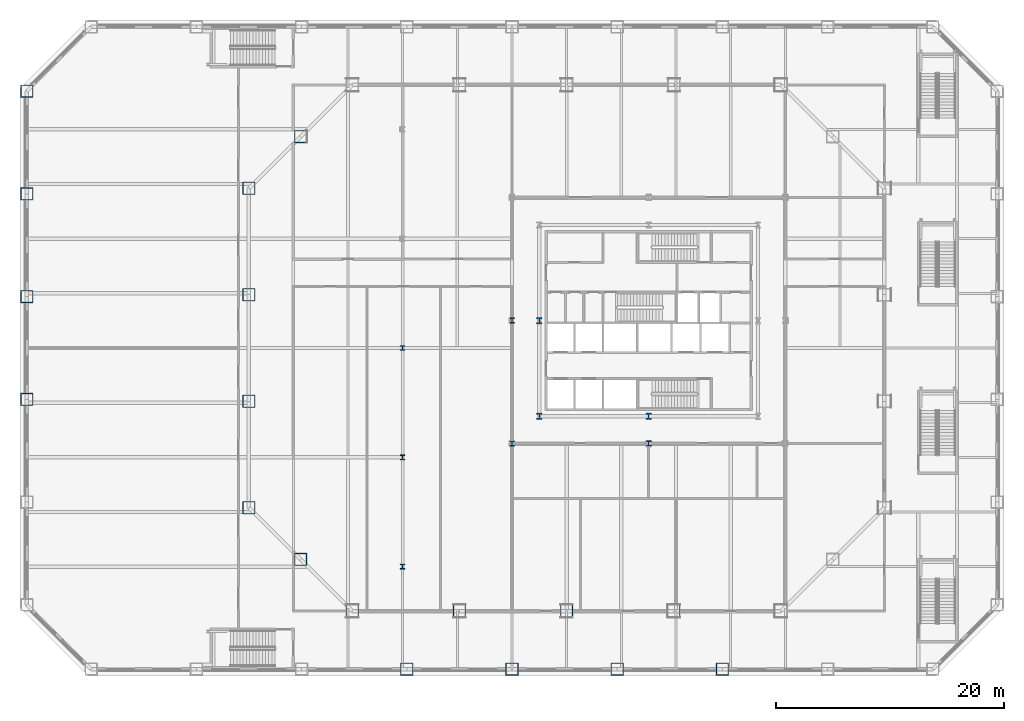
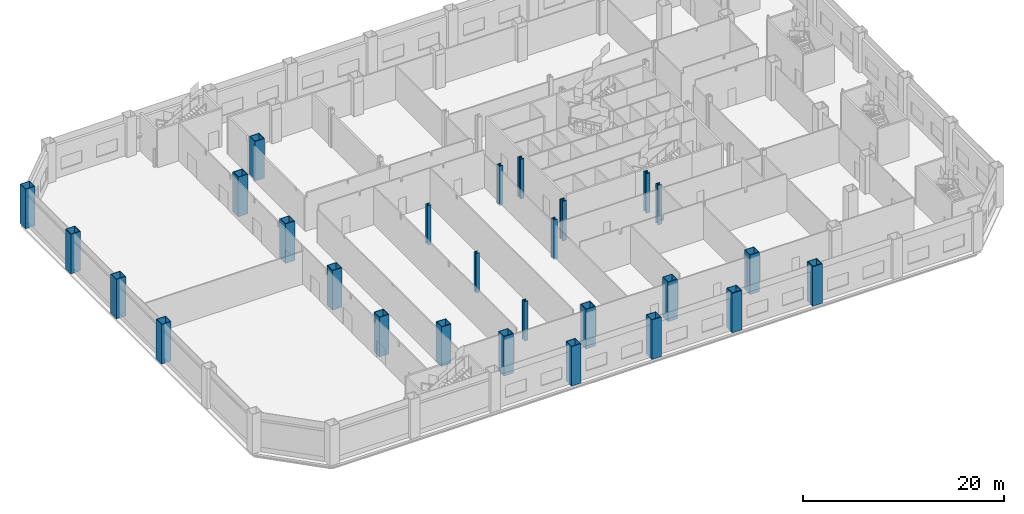
# One storey, part 2 of 25: 27 columns.
"""IFC4 building model written with IfcOpenShell, lengths in metres."""

from ifc_helpers import new_model, si_unit, direction, frame, origin, origin_2d, place, context, subcontext, project, spatial, hollow_rectangle, i_section, extrude, material, material_profile, profile_set, type_object, element, save


model = new_model("IFC4")

# Units and contexts
model_context = context("Model", 3, precision=1e-05, world=origin(), true_north=direction((0.0, 1.0)))
body_context = subcontext(model_context, "Body", "Model", "MODEL_VIEW")
ifc_project = project(units=[si_unit("LENGTHUNIT", "METRE"), si_unit("AREAUNIT", "SQUARE_METRE"), si_unit("VOLUMEUNIT", "CUBIC_METRE"), si_unit("PLANEANGLEUNIT", "RADIAN"), si_unit("MASSUNIT", "GRAM", prefix="KILO")], contexts=[model_context])

# Site, building, storey
site_placement = place(None, origin())
site = spatial("IfcSite", under=ifc_project, at=site_placement, CompositionType="ELEMENT")
building_placement = place(site_placement, origin())
building = spatial("IfcBuilding", under=site, at=building_placement, Name="Cairn Pilgrim Tower", CompositionType="ELEMENT")
storey_placement = place(building_placement, frame((0.0, 0.0, 30.60009765625)))
storey = spatial("IfcBuildingStorey", under=building, at=storey_placement, Name="L05", CompositionType="ELEMENT", Elevation=30.60009765625)

# Columns
ifc_material = material(Name="Structural steel S460M", Category="steel")
ifc_material_profile_1 = material_profile(ifc_material, hollow_rectangle(XDim=1.10009765625, YDim=1.10009765625, WallThickness=0.06005859375, at=origin_2d()), Name="BOX 1100x1100x60")
ifc_profile_set_1 = profile_set([ifc_material_profile_1], Name="Structural steel S460M")
column_type_1 = type_object("IfcColumnType", Name="BOX 1100x1100x60", PredefinedType="COLUMN", material=ifc_profile_set_1)
for number, where, z_axis, x_axis, name in (
    (1, (-18.8271484375, -23.10009765625, -0.2001953125), (0.0, 0.0, 1.0), (1.0, 0.0, 0.0), "PC1-S1"),
    (2, (-9.41357421875, -23.10009765625, -0.2001953125), (0.0, 0.0, 1.0), (1.0, 0.0, 0.0), "PC1-S2"),
    (3, (0.0, -23.10009765625, -0.2001953125), (0.0, 0.0, 1.0), (1.0, 0.0, 0.0), "PC1-S3"),
    (4, (9.41357421875, -23.10009765625, -0.2001953125), (0.0, 0.0, 1.0), (1.0, 0.0, 0.0), "PC1-S4"),
    (5, (-23.363525390625, 18.563720703125, -0.2001953125), (0.0, 0.0, 1.0), (1.0, 0.0, 0.0), "PC1-NW2"),
    (6, (-27.89990234375, 14.027099609375, -0.2001953125), (0.0, 0.0, 1.0), (1.0, 0.0, 0.0), "PC1-W1"),
    (7, (-27.89990234375, 4.67578125, -0.2001953125), (0.0, 0.0, 1.0), (1.0, 0.0, 0.0), "PC1-W2"),
    (8, (-27.89990234375, -4.67578125, -0.2001953125), (0.0, 0.0, 1.0), (1.0, 0.0, 0.0), "PC1-W3"),
    (9, (-27.89990234375, -14.027099609375, -0.2001953125), (0.0, 0.0, 1.0), (1.0, 0.0, 0.0), "PC1-SW1"),
    (10, (-23.363525390625, -18.563720703125, -0.2001953125), (0.0, 0.0, 1.0), (1.0, 0.0, 0.0), "PC1-SW2"),
):
    element("IfcColumn", number, at=place(storey_placement, frame(where, z_axis=z_axis, x_axis=x_axis)), inside=storey, type_object=column_type_1, Name=name, PredefinedType="COLUMN", context=body_context, shape_type="SweptSolid", body=[
        extrude(hollow_rectangle(XDim=1.10009765625, YDim=1.10009765625, WallThickness=0.06005859375, at=origin_2d()), origin(), (0.0, 0.0, 1.0), 4.800048828125),
    ])
ifc_material_profile_2 = material_profile(ifc_material, i_section(OverallWidth=0.4541015625, OverallDepth=0.569091796875, WebThickness=0.077880859375, FlangeThickness=0.125, FilletRadius=0.014892578125, at=origin_2d()), Name="HD 400x1086")
ifc_profile_set_2 = profile_set([ifc_material_profile_2], Name="Structural steel S460M")
column_type_2 = type_object("IfcColumnType", Name="HD 400x1086", PredefinedType="COLUMN", material=ifc_profile_set_2)
for number, where, z_axis, x_axis, name in (
    (11, (-2.39990234375, -6.0, -0.2001953125), (0.0, 0.0, 1.0), (1.0, 0.0, 0.0), "KC-1"),
    (12, (7.199951171875, -6.0, -0.2001953125), (0.0, 0.0, 1.0), (1.0, 0.0, 0.0), "KC-2"),
    (13, (-2.39990234375, 2.39990234375, -0.2001953125), (0.0, 0.0, 1.0), (1.0, 0.0, 0.0), "KC-4"),
):
    element("IfcColumn", number, at=place(storey_placement, frame(where, z_axis=z_axis, x_axis=x_axis)), inside=storey, type_object=column_type_2, Name=name, PredefinedType="COLUMN", context=body_context, shape_type="SweptSolid", body=[
        extrude(i_section(OverallWidth=0.4541015625, OverallDepth=0.569091796875, WebThickness=0.077880859375, FlangeThickness=0.125, FilletRadius=0.014892578125, at=origin_2d()), origin(), (0.0, 0.0, 1.0), 4.800048828125),
    ])
ifc_material_profile_3 = material_profile(ifc_material, i_section(OverallWidth=0.408935546875, OverallDepth=0.425048828125, WebThickness=0.03271484375, FlangeThickness=0.052490234375, FilletRadius=0.014892578125, at=origin_2d()), Name="HD 400x421")
ifc_profile_set_3 = profile_set([ifc_material_profile_3], Name="Structural steel S460M")
column_type_3 = type_object("IfcColumnType", Name="HD 400x421", PredefinedType="COLUMN", material=ifc_profile_set_3)
for number, where, z_axis, x_axis, name in (
    (14, (-14.39990234375, -19.199951171875, -0.2001953125), (0.0, 0.0, 1.0), (1.0, 0.0, 0.0), "WC-WW-4"),
    (15, (-14.39990234375, -9.60009765625, -0.2001953125), (0.0, 0.0, 1.0), (1.0, 0.0, 0.0), "WC-WW-2"),
    (16, (-14.39990234375, 0.0, -0.2001953125), (0.0, 0.0, 1.0), (1.0, 0.0, 0.0), "WC-WW+0"),
):
    element("IfcColumn", number, at=place(storey_placement, frame(where, z_axis=z_axis, x_axis=x_axis)), inside=storey, type_object=column_type_3, Name=name, PredefinedType="COLUMN", context=body_context, shape_type="SweptSolid", body=[
        extrude(i_section(OverallWidth=0.408935546875, OverallDepth=0.425048828125, WebThickness=0.03271484375, FlangeThickness=0.052490234375, FilletRadius=0.014892578125, at=origin_2d()), origin(), (0.0, 0.0, 1.0), 4.800048828125),
    ])
ifc_material_profile_4 = material_profile(ifc_material, i_section(OverallWidth=0.424072265625, OverallDepth=0.47412109375, WebThickness=0.047607421875, FlangeThickness=0.0771484375, FilletRadius=0.014892578125, at=origin_2d()), Name="HD 400x634")
ifc_profile_set_4 = profile_set([ifc_material_profile_4], Name="Structural steel S460M")
column_type_4 = type_object("IfcColumnType", Name="HD 400x634", PredefinedType="COLUMN", material=ifc_profile_set_4)
for number, where, z_axis, x_axis, name in (
    (17, (-4.800048828125, -8.39990234375, -0.2001953125), (0.0, 0.0, 1.0), (1.0, 0.0, 0.0), "IC-1"),
    (18, (7.199951171875, -8.39990234375, -0.2001953125), (0.0, 0.0, 1.0), (1.0, 0.0, 0.0), "IC-2"),
    (19, (-4.800048828125, 2.39990234375, -0.2001953125), (0.0, 0.0, 1.0), (1.0, 0.0, 0.0), "IC-4"),
):
    element("IfcColumn", number, at=place(storey_placement, frame(where, z_axis=z_axis, x_axis=x_axis)), inside=storey, type_object=column_type_4, Name=name, PredefinedType="COLUMN", context=body_context, shape_type="SweptSolid", body=[
        extrude(i_section(OverallWidth=0.424072265625, OverallDepth=0.47412109375, WebThickness=0.047607421875, FlangeThickness=0.0771484375, FilletRadius=0.014892578125, at=origin_2d()), origin(), (0.0, 0.0, 1.0), 4.800048828125),
    ])
ifc_material_profile_5 = material_profile(ifc_material, hollow_rectangle(XDim=1.10009765625, YDim=1.10009765625, WallThickness=0.06005859375, at=origin_2d()), Name="BOX 1100x1100x60")
ifc_profile_set_5 = profile_set([ifc_material_profile_5], Name="Structural steel S460M")
column_type_5 = type_object("IfcColumnType", Name="PILOTIS CFT 1100", PredefinedType="COLUMN", material=ifc_profile_set_5)
for number, where, z_axis, x_axis, name in (
    (20, (-14.037841796875, -28.199951171875, 0.0), (0.0, 0.0, 1.0), (1.0, 0.0, 0.0), "PILOTIS PL-S4"),
    (21, (-4.800048828125, -28.199951171875, 0.0), (0.0, 0.0, 1.0), (1.0, 0.0, 0.0), "PILOTIS PL-S5"),
    (22, (4.43798828125, -28.199951171875, 0.0), (0.0, 0.0, 1.0), (1.0, 0.0, 0.0), "PILOTIS PL-S6"),
    (23, (13.67578125, -28.199951171875, 0.0), (0.0, 0.0, 1.0), (1.0, 0.0, 0.0), "PILOTIS PL-S7"),
    (24, (-47.39990234375, 22.551513671875, 0.0), (0.0, 0.0, 1.0), (1.0, 0.0, 0.0), "PILOTIS PL-W1"),
    (25, (-47.39990234375, 13.531005859375, 0.0), (0.0, 0.0, 1.0), (1.0, 0.0, 0.0), "PILOTIS PL-W2"),
    (26, (-47.39990234375, 4.51025390625, 0.0), (0.0, 0.0, 1.0), (1.0, 0.0, 0.0), "PILOTIS PL-W3"),
    (27, (-47.39990234375, -4.51025390625, 0.0), (0.0, 0.0, 1.0), (1.0, 0.0, 0.0), "PILOTIS PL-W4"),
):
    element("IfcColumn", number, at=place(storey_placement, frame(where, z_axis=z_axis, x_axis=x_axis)), inside=storey, type_object=column_type_5, Name=name, PredefinedType="COLUMN", context=body_context, shape_type="SweptSolid", body=[
        extrude(hollow_rectangle(XDim=1.10009765625, YDim=1.10009765625, WallThickness=0.06005859375, at=origin_2d()), origin(), (0.0, 0.0, 1.0), 4.7998046875),
    ])

save(model, "model.ifc")
